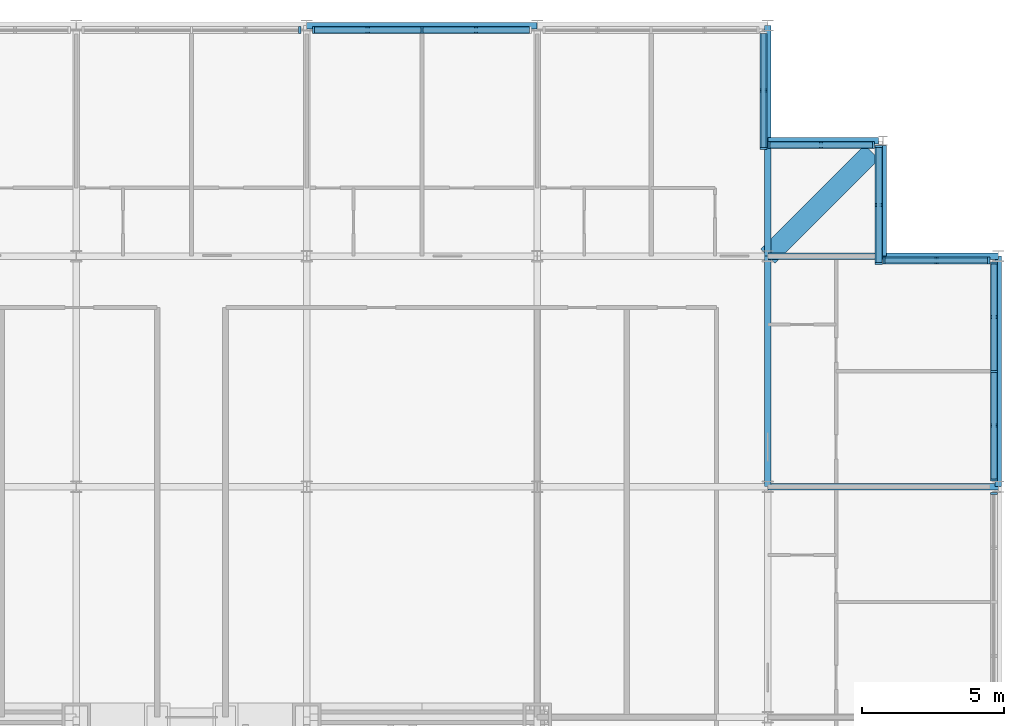
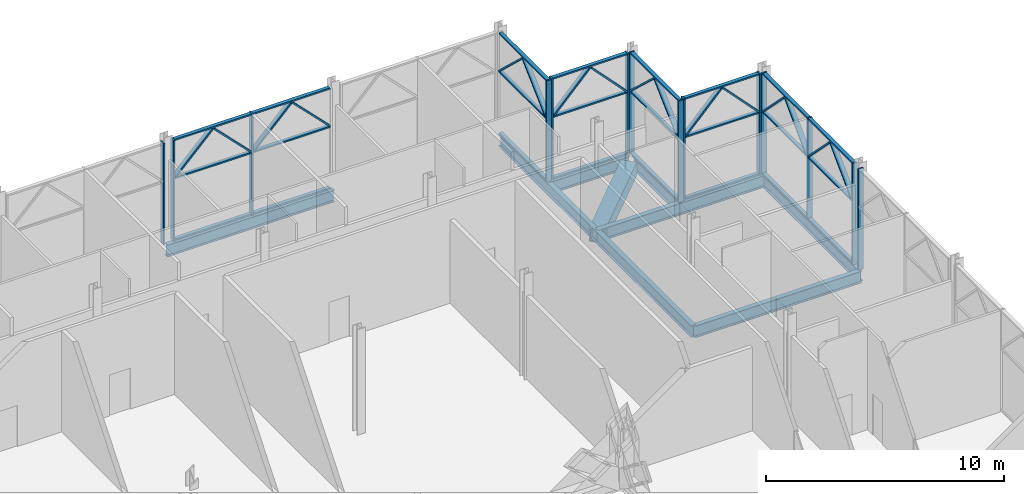
# One storey, part 12 of 26: 54 members, 9 beams, 8 elements without a shape of their own.
"""IFC4 building model written with IfcOpenShell, lengths in metres."""

from ifc_helpers import new_model, si_unit, direction, frame, origin, origin_2d, place, context, subcontext, project, spatial, rectangle, hollow_rectangle, i_section, extrude, material, material_profile, profile_set, type_object, element, aggregate, save


model = new_model("IFC4")

# Units and contexts
model_context = context("Model", 3, precision=1e-05, world=origin(), true_north=direction((0.0, 1.0)))
body_context = subcontext(model_context, "Body", "Model", "MODEL_VIEW")
ifc_project = project(units=[si_unit("LENGTHUNIT", "METRE"), si_unit("AREAUNIT", "SQUARE_METRE"), si_unit("VOLUMEUNIT", "CUBIC_METRE"), si_unit("PLANEANGLEUNIT", "RADIAN"), si_unit("MASSUNIT", "GRAM", prefix="KILO")], contexts=[model_context])

# Site, building, storey
site_placement = place(None, origin())
site = spatial("IfcSite", under=ifc_project, at=site_placement, CompositionType="ELEMENT")
building_placement = place(site_placement, origin())
building = spatial("IfcBuilding", under=site, at=building_placement, Name="Kopane Lantern Tower", CompositionType="ELEMENT")
storey_placement = place(building_placement, frame((0.0, 0.0, 293.10009765625)))
storey = spatial("IfcBuildingStorey", under=building, at=storey_placement, Name="L75", CompositionType="ELEMENT", Elevation=293.10009765625)

# Beams
ifc_material_1 = material(Name="Steel S355JR", Category="steel")
ifc_material_profile_1 = material_profile(ifc_material_1, hollow_rectangle(XDim=0.699951171875, YDim=0.699951171875, WallThickness=0.06005859375, at=origin_2d()), Name="BOX 700x700x60")
ifc_profile_set_1 = profile_set([ifc_material_profile_1], Name="Steel S355JR")
beam_type_1 = type_object("IfcBeamType", Name="CORNER TIE BEAM BOX 700x700x60", PredefinedType="BEAM", material=ifc_profile_set_1)
beam_1_placement = place(storey_placement, frame((52.25244140625, 60.3525390625, -0.56005859375), z_axis=(-0.707083148333, -0.70713041325, 0.0), x_axis=(0.70713041325, -0.707083148333, 0.0)))
element("IfcBeam", 1, at=beam_1_placement, inside=storey, type_object=beam_type_1, Name="Corner Tie Beam L75", PredefinedType="BEAM", context=body_context, shape_type="SweptSolid", body=[
    extrude(hollow_rectangle(XDim=0.699951171875, YDim=0.699951171875, WallThickness=0.06005859375, at=origin_2d()), origin(), (0.0, 0.0, 1.0), 5.165283203125),
])
ifc_material_2 = material(Name="Steel S355JR", Category="steel")
ifc_material_profile_2 = material_profile(ifc_material_2, i_section(OverallWidth=0.22900390625, OverallDepth=0.6123046875, WebThickness=0.011962890625, FlangeThickness=0.01953125, FilletRadius=0.0126953125, at=origin_2d()), Name="UB 610x229x125")
ifc_profile_set_2 = profile_set([ifc_material_profile_2], Name="Steel S355JR")
beam_type_2 = type_object("IfcBeamType", Name="EDGE BEAM UB 610x229x125", PredefinedType="BEAM", material=ifc_profile_set_2)
for number, where, z_axis, x_axis, name in (
    (2, (52.496337890625, 60.75, -0.51611328125), (-1.0, 0.0, 0.0), (0.0, -1.0, 0.0), "Edge Beam L75"),
    (3, (52.64990234375, 60.59619140625, -0.51611328125), (0.0, -1.0, 0.0), (1.0, 0.0, 0.0), "Edge Beam L75"),
):
    element("IfcBeam", number, at=place(storey_placement, frame(where, z_axis=z_axis, x_axis=x_axis)), inside=storey, type_object=beam_type_2, Name=name, PredefinedType="BEAM", context=body_context, shape_type="SweptSolid", body=[
        extrude(i_section(OverallWidth=0.22900390625, OverallDepth=0.6123046875, WebThickness=0.011962890625, FlangeThickness=0.01953125, FilletRadius=0.0126953125, at=origin_2d()), origin(), (0.0, 0.0, 1.0), 3.896240234375),
    ])
ifc_material_3 = material(Name="Steel S355JR", Category="steel")
ifc_material_profile_3 = material_profile(ifc_material_3, i_section(OverallWidth=0.22900390625, OverallDepth=0.6123046875, WebThickness=0.011962890625, FlangeThickness=0.01953125, FilletRadius=0.0126953125, at=origin_2d()), Name="UB 610x229x125")
ifc_profile_set_3 = profile_set([ifc_material_profile_3], Name="Steel S355JR")
beam_type_3 = type_object("IfcBeamType", Name="GIRDER UB 610x229x125", PredefinedType="BEAM", material=ifc_profile_set_3)
beam_2_placement = place(storey_placement, frame((32.39990234375, 64.800048828125, -0.51611328125), z_axis=(1.0, 0.0, 0.0), x_axis=(0.0, 1.0, 0.0)))
element("IfcBeam", 4, at=beam_2_placement, inside=storey, type_object=beam_type_3, Name="Girder L75", PredefinedType="BEAM", context=body_context, shape_type="SweptSolid", body=[
    extrude(i_section(OverallWidth=0.22900390625, OverallDepth=0.6123046875, WebThickness=0.011962890625, FlangeThickness=0.01953125, FilletRadius=0.0126953125, at=origin_2d()), origin(), (0.0, 0.0, 1.0), 8.10009765625),
])
for number, where, z_axis, x_axis, name in (
    (5, (48.60009765625, 48.60009765625, -0.51611328125), (0.0, 1.0, 0.0), (-1.0, 0.0, 0.0), "Girder L75"),
    (6, (48.60009765625, 48.60009765625, -0.51611328125), (1.0, 0.0, 0.0), (0.0, 1.0, 0.0), "Girder L75"),
):
    element("IfcBeam", number, at=place(storey_placement, frame(where, z_axis=z_axis, x_axis=x_axis)), inside=storey, type_object=beam_type_3, Name=name, PredefinedType="BEAM", context=body_context, shape_type="SweptSolid", body=[
        extrude(i_section(OverallWidth=0.22900390625, OverallDepth=0.6123046875, WebThickness=0.011962890625, FlangeThickness=0.01953125, FilletRadius=0.0126953125, at=origin_2d()), origin(), (0.0, 0.0, 1.0), 8.099853515625),
    ])
beam_3_placement = place(storey_placement, frame((48.60009765625, 56.699951171875, -0.51611328125), z_axis=(0.0, 1.0, 0.0), x_axis=(-1.0, 0.0, 0.0)))
element("IfcBeam", 7, at=beam_3_placement, inside=storey, type_object=beam_type_3, Name="Girder L75", PredefinedType="BEAM", context=body_context, shape_type="SweptSolid", body=[
    extrude(i_section(OverallWidth=0.22900390625, OverallDepth=0.6123046875, WebThickness=0.011962890625, FlangeThickness=0.01953125, FilletRadius=0.0126953125, at=origin_2d()), origin(), (0.0, 0.0, 1.0), 8.10009765625),
])
for number, where, z_axis, x_axis, name in (
    (8, (48.60009765625, 56.699951171875, -0.51611328125), (1.0, 0.0, 0.0), (0.0, 1.0, 0.0), "Girder L75"),
    (9, (56.699951171875, 48.60009765625, -0.51611328125), (0.0, 1.0, 0.0), (-1.0, 0.0, 0.0), "Girder L75"),
):
    element("IfcBeam", number, at=place(storey_placement, frame(where, z_axis=z_axis, x_axis=x_axis)), inside=storey, type_object=beam_type_3, Name=name, PredefinedType="BEAM", context=body_context, shape_type="SweptSolid", body=[
        extrude(i_section(OverallWidth=0.22900390625, OverallDepth=0.6123046875, WebThickness=0.011962890625, FlangeThickness=0.01953125, FilletRadius=0.0126953125, at=origin_2d()), origin(), (0.0, 0.0, 1.0), 8.099853515625),
    ])

# Curtain wall, member
ifc_material_4 = material(Name="Aluminium and clear glass", Category="aluminium")
curtain_wall_type = type_object("IfcCurtainWallType", Name="CURTAIN WALL CW5 SKY RESTAURANT", PredefinedType="USERDEFINED", material=ifc_material_4)
curtain_wall_1_placement = place(storey_placement, origin())
curtain_wall_1 = element("IfcCurtainWall", 10, at=curtain_wall_1_placement, inside=storey, type_object=curtain_wall_type, Name="Curtain wall CW5 E L75", ObjectType="CURTAIN WALL", PredefinedType="USERDEFINED")
ifc_material_5 = material(Name="Aluminium", Category="aluminium")
ifc_material_profile_4 = material_profile(ifc_material_5, rectangle(XDim=0.074951171875, YDim=0.25, at=origin_2d()), Name="AL 75x250")
ifc_profile_set_4 = profile_set([ifc_material_profile_4], Name="Aluminium")
member_type_1 = type_object("IfcMemberType", Name="MULLION CW5-M 75x250", PredefinedType="MULLION", material=ifc_profile_set_4)
member_1_placement = place(storey_placement, frame((56.550048828125, 48.360595703125, 0.0), z_axis=(0.0, 0.0, 1.0), x_axis=(0.0, 1.0, 0.0)))
member_1 = element("IfcMember", 11, at=member_1_placement, type_object=member_type_1, Name="CW5 mullion 3", PredefinedType="MULLION", context=body_context, shape_type="SweptSolid", body=[
    extrude(rectangle(XDim=0.074951171875, YDim=0.25, at=origin_2d()), origin(), (0.0, 0.0, 1.0), 5.18994140625),
])
aggregate(curtain_wall_1, [member_1])

# Curtain wall, members
curtain_wall_2_placement = place(storey_placement, origin())
curtain_wall_2 = element("IfcCurtainWall", 12, at=curtain_wall_2_placement, inside=storey, type_object=curtain_wall_type, Name="Curtain wall CW5 E L75", ObjectType="CURTAIN WALL", PredefinedType="USERDEFINED")
member_2_placement = place(storey_placement, frame((56.550048828125, 48.83935546875, 0.0), z_axis=(0.0, 0.0, 1.0), x_axis=(0.0, 1.0, 0.0)))
member_2 = element("IfcMember", 13, at=member_2_placement, type_object=member_type_1, Name="CW5 mullion 1", PredefinedType="MULLION", context=body_context, shape_type="SweptSolid", body=[
    extrude(rectangle(XDim=0.074951171875, YDim=0.25, at=origin_2d()), origin(), (0.0, 0.0, 1.0), 5.18994140625),
])
member_3_placement = place(storey_placement, frame((56.550048828125, 52.64990234375, 0.0), z_axis=(0.0, 0.0, 1.0), x_axis=(0.0, 1.0, 0.0)))
member_3 = element("IfcMember", 14, at=member_3_placement, type_object=member_type_1, Name="CW5 mullion 2", PredefinedType="MULLION", context=body_context, shape_type="SweptSolid", body=[
    extrude(rectangle(XDim=0.074951171875, YDim=0.25, at=origin_2d()), origin(), (0.0, 0.0, 1.0), 5.18994140625),
])
member_4_placement = place(storey_placement, frame((56.550048828125, 56.460693359375, 0.0), z_axis=(0.0, 0.0, 1.0), x_axis=(0.0, 1.0, 0.0)))
member_4 = element("IfcMember", 15, at=member_4_placement, type_object=member_type_1, Name="CW5 mullion 3", PredefinedType="MULLION", context=body_context, shape_type="SweptSolid", body=[
    extrude(rectangle(XDim=0.074951171875, YDim=0.25, at=origin_2d()), origin(), (0.0, 0.0, 1.0), 5.18994140625),
])
member_5_placement = place(storey_placement, frame((56.550048828125, 48.903564453125, 3.25390625), z_axis=(0.0, 0.703169408785, 0.711022350245), x_axis=(0.0, -0.711022350245, 0.703169408785)))
member_5 = element("IfcMember", 16, at=member_5_placement, type_object=member_type_1, Name="CW5 lancet mullion 1L", PredefinedType="MULLION", context=body_context, shape_type="SweptSolid", body=[
    extrude(rectangle(XDim=0.074951171875, YDim=0.25, at=origin_2d()), origin(), (0.0, 0.0, 1.0), 2.580322265625),
])
member_6_placement = place(storey_placement, frame((56.550048828125, 52.585693359375, 3.25390625), z_axis=(0.0, -0.703169408785, 0.711022350245), x_axis=(0.0, 0.711022350245, 0.703169408785)))
member_6 = element("IfcMember", 17, at=member_6_placement, type_object=member_type_1, Name="CW5 lancet mullion 1R", PredefinedType="MULLION", context=body_context, shape_type="SweptSolid", body=[
    extrude(rectangle(XDim=0.074951171875, YDim=0.25, at=origin_2d()), origin(), (0.0, 0.0, 1.0), 2.580322265625),
])
member_7_placement = place(storey_placement, frame((56.550048828125, 52.714111328125, 3.25390625), z_axis=(0.0, 0.703217236258, 0.710975047825), x_axis=(0.0, -0.710975047825, 0.703217236258)))
member_7 = element("IfcMember", 18, at=member_7_placement, type_object=member_type_1, Name="CW5 lancet mullion 2L", PredefinedType="MULLION", context=body_context, shape_type="SweptSolid", body=[
    extrude(rectangle(XDim=0.074951171875, YDim=0.25, at=origin_2d()), origin(), (0.0, 0.0, 1.0), 2.58056640625),
])
member_8_placement = place(storey_placement, frame((56.550048828125, 56.396484375, 3.25390625), z_axis=(0.0, -0.703169408785, 0.711022350245), x_axis=(0.0, 0.711022350245, 0.703169408785)))
member_8 = element("IfcMember", 19, at=member_8_placement, type_object=member_type_1, Name="CW5 lancet mullion 2R", PredefinedType="MULLION", context=body_context, shape_type="SweptSolid", body=[
    extrude(rectangle(XDim=0.074951171875, YDim=0.25, at=origin_2d()), origin(), (0.0, 0.0, 1.0), 2.580322265625),
])

curtain_wall_3_placement = place(storey_placement, origin())
curtain_wall_3 = element("IfcCurtainWall", 20, at=curtain_wall_3_placement, inside=storey, type_object=curtain_wall_type, Name="Curtain wall CW5 N L75", ObjectType="CURTAIN WALL", PredefinedType="USERDEFINED")
member_9_placement = place(storey_placement, frame((56.362548828125, 56.550048828125, 0.0), z_axis=(0.0, 0.0, 1.0), x_axis=(-1.0, 0.0, 0.0)))
member_9 = element("IfcMember", 21, at=member_9_placement, type_object=member_type_1, Name="CW5 mullion 1", PredefinedType="MULLION", context=body_context, shape_type="SweptSolid", body=[
    extrude(rectangle(XDim=0.074951171875, YDim=0.25, at=origin_2d()), origin(), (0.0, 0.0, 1.0), 5.18994140625),
])
member_10_placement = place(storey_placement, frame((52.6875, 56.550048828125, 0.0), z_axis=(0.0, 0.0, 1.0), x_axis=(-1.0, 0.0, 0.0)))
member_10 = element("IfcMember", 22, at=member_10_placement, type_object=member_type_1, Name="CW5 mullion 2", PredefinedType="MULLION", context=body_context, shape_type="SweptSolid", body=[
    extrude(rectangle(XDim=0.074951171875, YDim=0.25, at=origin_2d()), origin(), (0.0, 0.0, 1.0), 5.18994140625),
])
member_11_placement = place(storey_placement, frame((56.2978515625, 56.550048828125, 3.253173828125), z_axis=(-0.689053331261, 0.0, 0.724710636515), x_axis=(0.724710636515, 0.0, 0.689053331261)))
member_11 = element("IfcMember", 23, at=member_11_placement, type_object=member_type_1, Name="CW5 lancet mullion 1L", PredefinedType="MULLION", context=body_context, shape_type="SweptSolid", body=[
    extrude(rectangle(XDim=0.074951171875, YDim=0.25, at=origin_2d()), origin(), (0.0, 0.0, 1.0), 2.533447265625),
])
member_12_placement = place(storey_placement, frame((52.752197265625, 56.550048828125, 3.253173828125), z_axis=(0.689053331261, 0.0, 0.724710636515), x_axis=(-0.724710636515, 0.0, 0.689053331261)))
member_12 = element("IfcMember", 24, at=member_12_placement, type_object=member_type_1, Name="CW5 lancet mullion 1R", PredefinedType="MULLION", context=body_context, shape_type="SweptSolid", body=[
    extrude(rectangle(XDim=0.074951171875, YDim=0.25, at=origin_2d()), origin(), (0.0, 0.0, 1.0), 2.533447265625),
])

curtain_wall_4_placement = place(storey_placement, origin())
curtain_wall_4 = element("IfcCurtainWall", 25, at=curtain_wall_4_placement, inside=storey, type_object=curtain_wall_type, Name="Curtain wall CW5 E L75", ObjectType="CURTAIN WALL", PredefinedType="USERDEFINED")
member_13_placement = place(storey_placement, frame((52.5, 56.4375, 0.0), z_axis=(0.0, 0.0, 1.0), x_axis=(0.0, 1.0, 0.0)))
member_13 = element("IfcMember", 26, at=member_13_placement, type_object=member_type_1, Name="CW5 mullion 1", PredefinedType="MULLION", context=body_context, shape_type="SweptSolid", body=[
    extrude(rectangle(XDim=0.074951171875, YDim=0.25, at=origin_2d()), origin(), (0.0, 0.0, 1.0), 5.18994140625),
])
member_14_placement = place(storey_placement, frame((52.5, 60.55029296875, 0.0), z_axis=(0.0, 0.0, 1.0), x_axis=(0.0, 1.0, 0.0)))
member_14 = element("IfcMember", 27, at=member_14_placement, type_object=member_type_1, Name="CW5 mullion 2", PredefinedType="MULLION", context=body_context, shape_type="SweptSolid", body=[
    extrude(rectangle(XDim=0.074951171875, YDim=0.25, at=origin_2d()), origin(), (0.0, 0.0, 1.0), 5.18994140625),
])
member_15_placement = place(storey_placement, frame((52.5, 56.50048828125, 3.2548828125), z_axis=(0.0, 0.731809650699, 0.681509086619), x_axis=(0.0, -0.681509086619, 0.731809650699)))
member_15 = element("IfcMember", 28, at=member_15_placement, type_object=member_type_1, Name="CW5 lancet mullion 1L", PredefinedType="MULLION", context=body_context, shape_type="SweptSolid", body=[
    extrude(rectangle(XDim=0.074951171875, YDim=0.25, at=origin_2d()), origin(), (0.0, 0.0, 1.0), 2.68896484375),
])
member_16_placement = place(storey_placement, frame((52.5, 60.487060546875, 3.2548828125), z_axis=(0.0, -0.731809650699, 0.681509086619), x_axis=(0.0, 0.681509086619, 0.731809650699)))
member_16 = element("IfcMember", 29, at=member_16_placement, type_object=member_type_1, Name="CW5 lancet mullion 1R", PredefinedType="MULLION", context=body_context, shape_type="SweptSolid", body=[
    extrude(rectangle(XDim=0.074951171875, YDim=0.25, at=origin_2d()), origin(), (0.0, 0.0, 1.0), 2.68896484375),
])

curtain_wall_5_placement = place(storey_placement, origin())
curtain_wall_5 = element("IfcCurtainWall", 30, at=curtain_wall_5_placement, inside=storey, type_object=curtain_wall_type, Name="Curtain wall CW5 N L75", ObjectType="CURTAIN WALL", PredefinedType="USERDEFINED")
member_17_placement = place(storey_placement, frame((52.3125, 60.60009765625, 0.0), z_axis=(0.0, 0.0, 1.0), x_axis=(-1.0, 0.0, 0.0)))
member_17 = element("IfcMember", 31, at=member_17_placement, type_object=member_type_1, Name="CW5 mullion 1", PredefinedType="MULLION", context=body_context, shape_type="SweptSolid", body=[
    extrude(rectangle(XDim=0.074951171875, YDim=0.25, at=origin_2d()), origin(), (0.0, 0.0, 1.0), 5.18994140625),
])
member_18_placement = place(storey_placement, frame((48.637451171875, 60.60009765625, 0.0), z_axis=(0.0, 0.0, 1.0), x_axis=(-1.0, 0.0, 0.0)))
member_18 = element("IfcMember", 32, at=member_18_placement, type_object=member_type_1, Name="CW5 mullion 2", PredefinedType="MULLION", context=body_context, shape_type="SweptSolid", body=[
    extrude(rectangle(XDim=0.074951171875, YDim=0.25, at=origin_2d()), origin(), (0.0, 0.0, 1.0), 5.18994140625),
])
member_19_placement = place(storey_placement, frame((52.247802734375, 60.60009765625, 3.253173828125), z_axis=(-0.689053331261, 0.0, 0.724710636515), x_axis=(0.724710636515, 0.0, 0.689053331261)))
member_19 = element("IfcMember", 33, at=member_19_placement, type_object=member_type_1, Name="CW5 lancet mullion 1L", PredefinedType="MULLION", context=body_context, shape_type="SweptSolid", body=[
    extrude(rectangle(XDim=0.074951171875, YDim=0.25, at=origin_2d()), origin(), (0.0, 0.0, 1.0), 2.533447265625),
])
member_20_placement = place(storey_placement, frame((48.7021484375, 60.60009765625, 3.253173828125), z_axis=(0.689053331261, 0.0, 0.724710636515), x_axis=(-0.724710636515, 0.0, 0.689053331261)))
member_20 = element("IfcMember", 34, at=member_20_placement, type_object=member_type_1, Name="CW5 lancet mullion 1R", PredefinedType="MULLION", context=body_context, shape_type="SweptSolid", body=[
    extrude(rectangle(XDim=0.074951171875, YDim=0.25, at=origin_2d()), origin(), (0.0, 0.0, 1.0), 2.533447265625),
])

curtain_wall_6_placement = place(storey_placement, origin())
curtain_wall_6 = element("IfcCurtainWall", 35, at=curtain_wall_6_placement, inside=storey, type_object=curtain_wall_type, Name="Curtain wall CW5 E L75", ObjectType="CURTAIN WALL", PredefinedType="USERDEFINED")
member_21_placement = place(storey_placement, frame((48.449951171875, 60.487548828125, 0.0), z_axis=(0.0, 0.0, 1.0), x_axis=(0.0, 1.0, 0.0)))
member_21 = element("IfcMember", 36, at=member_21_placement, type_object=member_type_1, Name="CW5 mullion 1", PredefinedType="MULLION", context=body_context, shape_type="SweptSolid", body=[
    extrude(rectangle(XDim=0.074951171875, YDim=0.25, at=origin_2d()), origin(), (0.0, 0.0, 1.0), 5.18994140625),
])
member_22_placement = place(storey_placement, frame((48.449951171875, 60.55078125, 3.254638671875), z_axis=(0.0, 0.728189272767, 0.685376088747), x_axis=(0.0, -0.685376088747, 0.728189272767)))
member_22 = element("IfcMember", 37, at=member_22_placement, type_object=member_type_1, Name="CW5 lancet mullion 1L", PredefinedType="MULLION", context=body_context, shape_type="SweptSolid", body=[
    extrude(rectangle(XDim=0.074951171875, YDim=0.25, at=origin_2d()), origin(), (0.0, 0.0, 1.0), 2.674560546875),
])
member_23_placement = place(storey_placement, frame((48.449951171875, 64.49755859375, 3.254638671875), z_axis=(0.0, -0.728232149263, 0.685330531043), x_axis=(0.0, 0.685330531043, 0.728232149263)))
member_23 = element("IfcMember", 38, at=member_23_placement, type_object=member_type_1, Name="CW5 lancet mullion 1R", PredefinedType="MULLION", context=body_context, shape_type="SweptSolid", body=[
    extrude(rectangle(XDim=0.074951171875, YDim=0.25, at=origin_2d()), origin(), (0.0, 0.0, 1.0), 2.674560546875),
])

curtain_wall_7_placement = place(storey_placement, origin())
curtain_wall_7 = element("IfcCurtainWall", 39, at=curtain_wall_7_placement, inside=storey, type_object=curtain_wall_type, Name="Curtain wall CW5 N L75", ObjectType="CURTAIN WALL", PredefinedType="USERDEFINED")
member_24_placement = place(storey_placement, frame((36.449951171875, 64.64990234375, 0.0), z_axis=(0.0, 0.0, 1.0), x_axis=(-1.0, 0.0, 0.0)))
member_24 = element("IfcMember", 40, at=member_24_placement, type_object=member_type_1, Name="CW5 mullion 2", PredefinedType="MULLION", context=body_context, shape_type="SweptSolid", body=[
    extrude(rectangle(XDim=0.074951171875, YDim=0.25, at=origin_2d()), origin(), (0.0, 0.0, 1.0), 5.18994140625),
])
member_25_placement = place(storey_placement, frame((32.64208984375, 64.64990234375, 0.0), z_axis=(0.0, 0.0, 1.0), x_axis=(-1.0, 0.0, 0.0)))
member_25 = element("IfcMember", 41, at=member_25_placement, type_object=member_type_1, Name="CW5 mullion 3", PredefinedType="MULLION", context=body_context, shape_type="SweptSolid", body=[
    extrude(rectangle(XDim=0.074951171875, YDim=0.25, at=origin_2d()), origin(), (0.0, 0.0, 1.0), 5.18994140625),
])
member_26_placement = place(storey_placement, frame((40.19384765625, 64.64990234375, 3.25390625), z_axis=(-0.702930128182, 0.0, 0.711258908481), x_axis=(0.711258908481, 0.0, 0.702930128182)))
member_26 = element("IfcMember", 42, at=member_26_placement, type_object=member_type_1, Name="CW5 lancet mullion 1L", PredefinedType="MULLION", context=body_context, shape_type="SweptSolid", body=[
    extrude(rectangle(XDim=0.074951171875, YDim=0.25, at=origin_2d()), origin(), (0.0, 0.0, 1.0), 2.57958984375),
])
member_27_placement = place(storey_placement, frame((36.51416015625, 64.64990234375, 3.25390625), z_axis=(0.702930128182, 0.0, 0.711258908481), x_axis=(-0.711258908481, 0.0, 0.702930128182)))
member_27 = element("IfcMember", 43, at=member_27_placement, type_object=member_type_1, Name="CW5 lancet mullion 1R", PredefinedType="MULLION", context=body_context, shape_type="SweptSolid", body=[
    extrude(rectangle(XDim=0.074951171875, YDim=0.25, at=origin_2d()), origin(), (0.0, 0.0, 1.0), 2.57958984375),
])
member_28_placement = place(storey_placement, frame((36.3857421875, 64.64990234375, 3.25390625), z_axis=(-0.7028822434, 0.0, 0.71130622935), x_axis=(0.71130622935, 0.0, 0.7028822434)))
member_28 = element("IfcMember", 44, at=member_28_placement, type_object=member_type_1, Name="CW5 lancet mullion 2L", PredefinedType="MULLION", context=body_context, shape_type="SweptSolid", body=[
    extrude(rectangle(XDim=0.074951171875, YDim=0.25, at=origin_2d()), origin(), (0.0, 0.0, 1.0), 2.579345703125),
])
member_29_placement = place(storey_placement, frame((32.706298828125, 64.64990234375, 3.25390625), z_axis=(0.7028822434, 0.0, 0.71130622935), x_axis=(-0.71130622935, 0.0, 0.7028822434)))
member_29 = element("IfcMember", 45, at=member_29_placement, type_object=member_type_1, Name="CW5 lancet mullion 2R", PredefinedType="MULLION", context=body_context, shape_type="SweptSolid", body=[
    extrude(rectangle(XDim=0.074951171875, YDim=0.25, at=origin_2d()), origin(), (0.0, 0.0, 1.0), 2.579345703125),
])

# Curtain wall, member
curtain_wall_8_placement = place(storey_placement, origin())
curtain_wall_8 = element("IfcCurtainWall", 46, at=curtain_wall_8_placement, inside=storey, type_object=curtain_wall_type, Name="Curtain wall CW5 N L75", ObjectType="CURTAIN WALL", PredefinedType="USERDEFINED")
member_30_placement = place(storey_placement, frame((32.157958984375, 64.64990234375, 0.0), z_axis=(0.0, 0.0, 1.0), x_axis=(-1.0, 0.0, 0.0)))
member_30 = element("IfcMember", 47, at=member_30_placement, type_object=member_type_1, Name="CW5 mullion 1", PredefinedType="MULLION", context=body_context, shape_type="SweptSolid", body=[
    extrude(rectangle(XDim=0.074951171875, YDim=0.25, at=origin_2d()), origin(), (0.0, 0.0, 1.0), 5.18994140625),
])
aggregate(curtain_wall_8, [member_30])

# Member
ifc_material_6 = material(Name="Aluminium", Category="aluminium")
ifc_material_profile_5 = material_profile(ifc_material_6, rectangle(XDim=0.175048828125, YDim=0.074951171875, at=origin_2d()), Name="AL 175x75")
ifc_profile_set_5 = profile_set([ifc_material_profile_5], Name="Aluminium")
member_type_2 = type_object("IfcMemberType", Name="TRANSOM CW5-T 75x175", PredefinedType="USERDEFINED", material=ifc_profile_set_5)
member_31_placement = place(storey_placement, frame((56.550048828125, 48.876708984375, 0.037353515625), z_axis=(0.0, 1.0, 0.0), x_axis=(-1.0, 0.0, 0.0)))
member_31 = element("IfcMember", 48, at=member_31_placement, type_object=member_type_2, Name="CW5 transom 1.1", ObjectType="TRANSOM", PredefinedType="USERDEFINED", context=body_context, shape_type="SweptSolid", body=[
    extrude(rectangle(XDim=0.175048828125, YDim=0.074951171875, at=origin_2d()), origin(), (0.0, 0.0, 1.0), 3.73583984375),
])

member_32_placement = place(storey_placement, frame((56.550048828125, 48.876708984375, 3.18994140625), z_axis=(0.0, 1.0, 0.0), x_axis=(-1.0, 0.0, 0.0)))
member_32 = element("IfcMember", 49, at=member_32_placement, type_object=member_type_2, Name="CW5 transom 1.2", ObjectType="TRANSOM", PredefinedType="USERDEFINED", context=body_context, shape_type="SweptSolid", body=[
    extrude(rectangle(XDim=0.175048828125, YDim=0.074951171875, at=origin_2d()), origin(), (0.0, 0.0, 1.0), 3.73583984375),
])

member_33_placement = place(storey_placement, frame((56.550048828125, 48.876708984375, 5.15234375), z_axis=(0.0, 1.0, 0.0), x_axis=(-1.0, 0.0, 0.0)))
member_33 = element("IfcMember", 50, at=member_33_placement, type_object=member_type_2, Name="CW5 transom 1.3", ObjectType="TRANSOM", PredefinedType="USERDEFINED", context=body_context, shape_type="SweptSolid", body=[
    extrude(rectangle(XDim=0.175048828125, YDim=0.074951171875, at=origin_2d()), origin(), (0.0, 0.0, 1.0), 3.73583984375),
])

member_34_placement = place(storey_placement, frame((56.550048828125, 52.6875, 0.037353515625), z_axis=(0.0, 1.0, 0.0), x_axis=(-1.0, 0.0, 0.0)))
member_34 = element("IfcMember", 51, at=member_34_placement, type_object=member_type_2, Name="CW5 transom 2.1", ObjectType="TRANSOM", PredefinedType="USERDEFINED", context=body_context, shape_type="SweptSolid", body=[
    extrude(rectangle(XDim=0.175048828125, YDim=0.074951171875, at=origin_2d()), origin(), (0.0, 0.0, 1.0), 3.735595703125),
])

member_35_placement = place(storey_placement, frame((56.550048828125, 52.6875, 3.18994140625), z_axis=(0.0, 1.0, 0.0), x_axis=(-1.0, 0.0, 0.0)))
member_35 = element("IfcMember", 52, at=member_35_placement, type_object=member_type_2, Name="CW5 transom 2.2", ObjectType="TRANSOM", PredefinedType="USERDEFINED", context=body_context, shape_type="SweptSolid", body=[
    extrude(rectangle(XDim=0.175048828125, YDim=0.074951171875, at=origin_2d()), origin(), (0.0, 0.0, 1.0), 3.735595703125),
])

member_36_placement = place(storey_placement, frame((56.550048828125, 52.6875, 5.15234375), z_axis=(0.0, 1.0, 0.0), x_axis=(-1.0, 0.0, 0.0)))
member_36 = element("IfcMember", 53, at=member_36_placement, type_object=member_type_2, Name="CW5 transom 2.3", ObjectType="TRANSOM", PredefinedType="USERDEFINED", context=body_context, shape_type="SweptSolid", body=[
    extrude(rectangle(XDim=0.175048828125, YDim=0.074951171875, at=origin_2d()), origin(), (0.0, 0.0, 1.0), 3.735595703125),
])

aggregate(curtain_wall_2, [member_2, member_3, member_4, member_31, member_32, member_33, member_34, member_35, member_36, member_5, member_6, member_7, member_8])

member_37_placement = place(storey_placement, frame((56.324951171875, 56.550048828125, 0.037353515625), z_axis=(-1.0, 0.0, 0.0), x_axis=(0.0, -1.0, 0.0)))
member_37 = element("IfcMember", 54, at=member_37_placement, type_object=member_type_2, Name="CW5 transom 1.1", ObjectType="TRANSOM", PredefinedType="USERDEFINED", context=body_context, shape_type="SweptSolid", body=[
    extrude(rectangle(XDim=0.175048828125, YDim=0.074951171875, at=origin_2d()), origin(), (0.0, 0.0, 1.0), 3.599853515625),
])

member_38_placement = place(storey_placement, frame((56.324951171875, 56.550048828125, 3.18994140625), z_axis=(-1.0, 0.0, 0.0), x_axis=(0.0, -1.0, 0.0)))
member_38 = element("IfcMember", 55, at=member_38_placement, type_object=member_type_2, Name="CW5 transom 1.2", ObjectType="TRANSOM", PredefinedType="USERDEFINED", context=body_context, shape_type="SweptSolid", body=[
    extrude(rectangle(XDim=0.175048828125, YDim=0.074951171875, at=origin_2d()), origin(), (0.0, 0.0, 1.0), 3.599853515625),
])

member_39_placement = place(storey_placement, frame((56.324951171875, 56.550048828125, 5.15234375), z_axis=(-1.0, 0.0, 0.0), x_axis=(0.0, -1.0, 0.0)))
member_39 = element("IfcMember", 56, at=member_39_placement, type_object=member_type_2, Name="CW5 transom 1.3", ObjectType="TRANSOM", PredefinedType="USERDEFINED", context=body_context, shape_type="SweptSolid", body=[
    extrude(rectangle(XDim=0.175048828125, YDim=0.074951171875, at=origin_2d()), origin(), (0.0, 0.0, 1.0), 3.599853515625),
])

aggregate(curtain_wall_3, [member_9, member_10, member_37, member_38, member_39, member_11, member_12])

member_40_placement = place(storey_placement, frame((52.5, 56.47509765625, 0.037353515625), z_axis=(0.0, 1.0, 0.0), x_axis=(-1.0, 0.0, 0.0)))
member_40 = element("IfcMember", 57, at=member_40_placement, type_object=member_type_2, Name="CW5 transom 1.1", ObjectType="TRANSOM", PredefinedType="USERDEFINED", context=body_context, shape_type="SweptSolid", body=[
    extrude(rectangle(XDim=0.175048828125, YDim=0.074951171875, at=origin_2d()), origin(), (0.0, 0.0, 1.0), 4.03759765625),
])

member_41_placement = place(storey_placement, frame((52.5, 56.47509765625, 3.18994140625), z_axis=(0.0, 1.0, 0.0), x_axis=(-1.0, 0.0, 0.0)))
member_41 = element("IfcMember", 58, at=member_41_placement, type_object=member_type_2, Name="CW5 transom 1.2", ObjectType="TRANSOM", PredefinedType="USERDEFINED", context=body_context, shape_type="SweptSolid", body=[
    extrude(rectangle(XDim=0.175048828125, YDim=0.074951171875, at=origin_2d()), origin(), (0.0, 0.0, 1.0), 4.03759765625),
])

member_42_placement = place(storey_placement, frame((52.5, 56.47509765625, 5.15234375), z_axis=(0.0, 1.0, 0.0), x_axis=(-1.0, 0.0, 0.0)))
member_42 = element("IfcMember", 59, at=member_42_placement, type_object=member_type_2, Name="CW5 transom 1.3", ObjectType="TRANSOM", PredefinedType="USERDEFINED", context=body_context, shape_type="SweptSolid", body=[
    extrude(rectangle(XDim=0.175048828125, YDim=0.074951171875, at=origin_2d()), origin(), (0.0, 0.0, 1.0), 4.03759765625),
])

aggregate(curtain_wall_4, [member_13, member_14, member_40, member_41, member_42, member_15, member_16])

member_43_placement = place(storey_placement, frame((52.27490234375, 60.60009765625, 0.037353515625), z_axis=(-1.0, 0.0, 0.0), x_axis=(0.0, -1.0, 0.0)))
member_43 = element("IfcMember", 60, at=member_43_placement, type_object=member_type_2, Name="CW5 transom 1.1", ObjectType="TRANSOM", PredefinedType="USERDEFINED", context=body_context, shape_type="SweptSolid", body=[
    extrude(rectangle(XDim=0.175048828125, YDim=0.074951171875, at=origin_2d()), origin(), (0.0, 0.0, 1.0), 3.599853515625),
])

member_44_placement = place(storey_placement, frame((52.27490234375, 60.60009765625, 3.18994140625), z_axis=(-1.0, 0.0, 0.0), x_axis=(0.0, -1.0, 0.0)))
member_44 = element("IfcMember", 61, at=member_44_placement, type_object=member_type_2, Name="CW5 transom 1.2", ObjectType="TRANSOM", PredefinedType="USERDEFINED", context=body_context, shape_type="SweptSolid", body=[
    extrude(rectangle(XDim=0.175048828125, YDim=0.074951171875, at=origin_2d()), origin(), (0.0, 0.0, 1.0), 3.599853515625),
])

member_45_placement = place(storey_placement, frame((52.27490234375, 60.60009765625, 5.15234375), z_axis=(-1.0, 0.0, 0.0), x_axis=(0.0, -1.0, 0.0)))
member_45 = element("IfcMember", 62, at=member_45_placement, type_object=member_type_2, Name="CW5 transom 1.3", ObjectType="TRANSOM", PredefinedType="USERDEFINED", context=body_context, shape_type="SweptSolid", body=[
    extrude(rectangle(XDim=0.175048828125, YDim=0.074951171875, at=origin_2d()), origin(), (0.0, 0.0, 1.0), 3.599853515625),
])

aggregate(curtain_wall_5, [member_17, member_18, member_43, member_44, member_45, member_19, member_20])

member_46_placement = place(storey_placement, frame((48.449951171875, 60.52490234375, 0.037353515625), z_axis=(0.0, 1.0, 0.0), x_axis=(-1.0, 0.0, 0.0)))
member_46 = element("IfcMember", 63, at=member_46_placement, type_object=member_type_2, Name="CW5 transom 1.1", ObjectType="TRANSOM", PredefinedType="USERDEFINED", context=body_context, shape_type="SweptSolid", body=[
    extrude(rectangle(XDim=0.175048828125, YDim=0.074951171875, at=origin_2d()), origin(), (0.0, 0.0, 1.0), 3.998291015625),
])

member_47_placement = place(storey_placement, frame((48.449951171875, 60.52490234375, 3.18994140625), z_axis=(0.0, 1.0, 0.0), x_axis=(-1.0, 0.0, 0.0)))
member_47 = element("IfcMember", 64, at=member_47_placement, type_object=member_type_2, Name="CW5 transom 1.2", ObjectType="TRANSOM", PredefinedType="USERDEFINED", context=body_context, shape_type="SweptSolid", body=[
    extrude(rectangle(XDim=0.175048828125, YDim=0.074951171875, at=origin_2d()), origin(), (0.0, 0.0, 1.0), 3.998291015625),
])

member_48_placement = place(storey_placement, frame((48.449951171875, 60.52490234375, 5.15234375), z_axis=(0.0, 1.0, 0.0), x_axis=(-1.0, 0.0, 0.0)))
member_48 = element("IfcMember", 65, at=member_48_placement, type_object=member_type_2, Name="CW5 transom 1.3", ObjectType="TRANSOM", PredefinedType="USERDEFINED", context=body_context, shape_type="SweptSolid", body=[
    extrude(rectangle(XDim=0.175048828125, YDim=0.074951171875, at=origin_2d()), origin(), (0.0, 0.0, 1.0), 3.998291015625),
])

aggregate(curtain_wall_6, [member_21, member_46, member_47, member_48, member_22, member_23])

member_49_placement = place(storey_placement, frame((40.220458984375, 64.64990234375, 0.037353515625), z_axis=(-1.0, 0.0, 0.0), x_axis=(0.0, -1.0, 0.0)))
member_49 = element("IfcMember", 66, at=member_49_placement, type_object=member_type_2, Name="CW5 transom 1.1", ObjectType="TRANSOM", PredefinedType="USERDEFINED", context=body_context, shape_type="SweptSolid", body=[
    extrude(rectangle(XDim=0.175048828125, YDim=0.074951171875, at=origin_2d()), origin(), (0.0, 0.0, 1.0), 3.73291015625),
])

member_50_placement = place(storey_placement, frame((40.220458984375, 64.64990234375, 3.18994140625), z_axis=(-1.0, 0.0, 0.0), x_axis=(0.0, -1.0, 0.0)))
member_50 = element("IfcMember", 67, at=member_50_placement, type_object=member_type_2, Name="CW5 transom 1.2", ObjectType="TRANSOM", PredefinedType="USERDEFINED", context=body_context, shape_type="SweptSolid", body=[
    extrude(rectangle(XDim=0.175048828125, YDim=0.074951171875, at=origin_2d()), origin(), (0.0, 0.0, 1.0), 3.73291015625),
])

member_51_placement = place(storey_placement, frame((40.220458984375, 64.64990234375, 5.15234375), z_axis=(-1.0, 0.0, 0.0), x_axis=(0.0, -1.0, 0.0)))
member_51 = element("IfcMember", 68, at=member_51_placement, type_object=member_type_2, Name="CW5 transom 1.3", ObjectType="TRANSOM", PredefinedType="USERDEFINED", context=body_context, shape_type="SweptSolid", body=[
    extrude(rectangle(XDim=0.175048828125, YDim=0.074951171875, at=origin_2d()), origin(), (0.0, 0.0, 1.0), 3.73291015625),
])

member_52_placement = place(storey_placement, frame((36.41259765625, 64.64990234375, 0.037353515625), z_axis=(-1.0, 0.0, 0.0), x_axis=(0.0, -1.0, 0.0)))
member_52 = element("IfcMember", 69, at=member_52_placement, type_object=member_type_2, Name="CW5 transom 2.1", ObjectType="TRANSOM", PredefinedType="USERDEFINED", context=body_context, shape_type="SweptSolid", body=[
    extrude(rectangle(XDim=0.175048828125, YDim=0.074951171875, at=origin_2d()), origin(), (0.0, 0.0, 1.0), 3.733154296875),
])

member_53_placement = place(storey_placement, frame((36.41259765625, 64.64990234375, 3.18994140625), z_axis=(-1.0, 0.0, 0.0), x_axis=(0.0, -1.0, 0.0)))
member_53 = element("IfcMember", 70, at=member_53_placement, type_object=member_type_2, Name="CW5 transom 2.2", ObjectType="TRANSOM", PredefinedType="USERDEFINED", context=body_context, shape_type="SweptSolid", body=[
    extrude(rectangle(XDim=0.175048828125, YDim=0.074951171875, at=origin_2d()), origin(), (0.0, 0.0, 1.0), 3.733154296875),
])

member_54_placement = place(storey_placement, frame((36.41259765625, 64.64990234375, 5.15234375), z_axis=(-1.0, 0.0, 0.0), x_axis=(0.0, -1.0, 0.0)))
member_54 = element("IfcMember", 71, at=member_54_placement, type_object=member_type_2, Name="CW5 transom 2.3", ObjectType="TRANSOM", PredefinedType="USERDEFINED", context=body_context, shape_type="SweptSolid", body=[
    extrude(rectangle(XDim=0.175048828125, YDim=0.074951171875, at=origin_2d()), origin(), (0.0, 0.0, 1.0), 3.733154296875),
])

aggregate(curtain_wall_7, [member_24, member_25, member_49, member_50, member_51, member_52, member_53, member_54, member_26, member_27, member_28, member_29])

save(model, "model.ifc")
